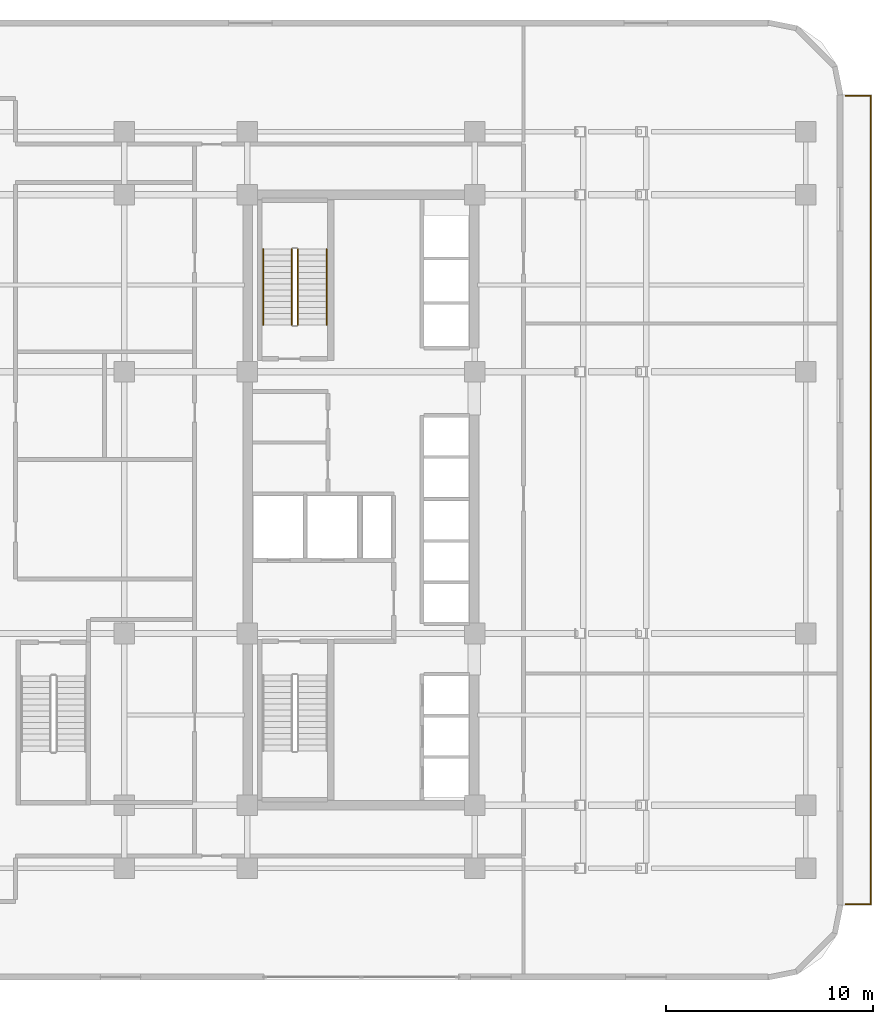
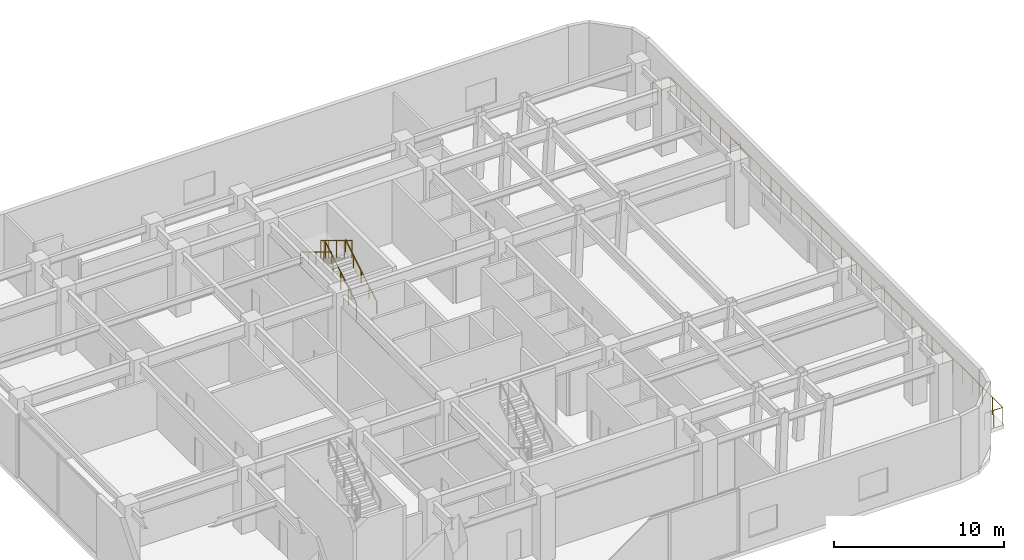
# One storey, part 11 of 12: 5 railings.
"""IFC4 building model written with IfcOpenShell, lengths in metres."""

from ifc_helpers import new_model, si_unit, direction, frame, origin, origin_2d, place, context, subcontext, project, spatial, circle, extrude, material, type_object, element, save


model = new_model("IFC4")

# Units and contexts
model_context = context("Model", 3, precision=1e-05, world=origin(), true_north=direction((0.0, 1.0)))
body_context = subcontext(model_context, "Body", "Model", "MODEL_VIEW")
ifc_project = project(units=[si_unit("LENGTHUNIT", "METRE"), si_unit("AREAUNIT", "SQUARE_METRE"), si_unit("VOLUMEUNIT", "CUBIC_METRE"), si_unit("PLANEANGLEUNIT", "RADIAN"), si_unit("MASSUNIT", "GRAM", prefix="KILO")], contexts=[model_context])

# Site, building, storey
site_placement = place(None, origin())
site = spatial("IfcSite", under=ifc_project, at=site_placement, CompositionType="ELEMENT")
building_placement = place(site_placement, origin())
building = spatial("IfcBuilding", under=site, at=building_placement, Name="Ochreholt Gables", CompositionType="ELEMENT")
storey_placement = place(building_placement, frame((0.0, 0.0, 9.60009765625)))
storey = spatial("IfcBuildingStorey", under=building, at=storey_placement, Name="L02", CompositionType="ELEMENT", Elevation=9.60009765625)

# Railings
ifc_material_1 = material(Name="Painted Steel Stair Guardrail", Category="steel")
railing_type_1 = type_object("IfcRailingType", Name="RL-ST-GUARD", PredefinedType="GUARDRAIL", material=ifc_material_1)
railing_1_placement = place(storey_placement, frame((26.64990234375, 32.4599609375, 0.17138671875)))
element("IfcRailing", 1, at=railing_1_placement, inside=storey, type_object=railing_type_1, Name="L02 ST-2 stair guard 1", PredefinedType="GUARDRAIL", context=body_context, shape_type="SweptSolid", body=[
    extrude(circle(Radius=0.02392578125, at=origin_2d()), frame((0.0, 0.0, 1.22607421875), z_axis=(0.0, 0.85450609292, 0.519441370283), x_axis=(-1.0, 0.0, 0.0)), (0.0, 0.0, 1.0), 4.290283203125),
    extrude(circle(Radius=0.02099609375, at=origin_2d()), origin(), (0.0, 0.0, 1.0), 1.201904296875),
    extrude(circle(Radius=0.02099609375, at=origin_2d()), frame((0.0, 0.91650390625, 0.55712890625)), (0.0, 0.0, 1.0), 1.201904296875),
    extrude(circle(Radius=0.02099609375, at=origin_2d()), frame((0.0, 1.8330078125, 1.1142578125)), (0.0, 0.0, 1.0), 1.201904296875),
    extrude(circle(Radius=0.02099609375, at=origin_2d()), frame((0.0, 2.74951171875, 1.67138671875)), (0.0, 0.0, 1.0), 1.201904296875),
    extrude(circle(Radius=0.02099609375, at=origin_2d()), frame((0.0, 3.666015625, 2.228515625)), (0.0, 0.0, 1.0), 1.201904296875),
])
railing_2_placement = place(storey_placement, frame((26.35009765625, 36.1259765625, 2.5712890625)))
element("IfcRailing", 2, at=railing_2_placement, inside=storey, type_object=railing_type_1, Name="L02 ST-2 stair guard 3", PredefinedType="GUARDRAIL", context=body_context, shape_type="SweptSolid", body=[
    extrude(circle(Radius=0.02392578125, at=origin_2d()), frame((0.0, 0.0, 1.22607421875), z_axis=(0.0, -0.85450609292, 0.519441370283), x_axis=(1.0, 0.0, 0.0)), (0.0, 0.0, 1.0), 4.290283203125),
    extrude(circle(Radius=0.02099609375, at=origin_2d()), origin(), (0.0, 0.0, 1.0), 1.201904296875),
    extrude(circle(Radius=0.02099609375, at=origin_2d()), frame((0.0, -0.91650390625, 0.55712890625)), (0.0, 0.0, 1.0), 1.201904296875),
    extrude(circle(Radius=0.02099609375, at=origin_2d()), frame((0.0, -1.8330078125, 1.1142578125)), (0.0, 0.0, 1.0), 1.201904296875),
    extrude(circle(Radius=0.02099609375, at=origin_2d()), frame((0.0, -2.74951171875, 1.67138671875)), (0.0, 0.0, 1.0), 1.201904296875),
    extrude(circle(Radius=0.02099609375, at=origin_2d()), frame((0.0, -3.666015625, 2.228515625)), (0.0, 0.0, 1.0), 1.201904296875),
])
ifc_material_2 = material(Name="Brushed Stainless Steel Wall Handrail", Category="steel")
railing_type_2 = type_object("IfcRailingType", Name="RL-ST-HAND", PredefinedType="HANDRAIL", material=ifc_material_2)
railing_3_placement = place(storey_placement, frame((28.030029296875, 32.4599609375, 0.17138671875)))
element("IfcRailing", 3, at=railing_3_placement, inside=storey, type_object=railing_type_2, Name="L02 ST-2 stair handrail 1", PredefinedType="HANDRAIL", context=body_context, shape_type="SweptSolid", body=[
    extrude(circle(Radius=0.02392578125, at=origin_2d()), frame((0.0, 0.0, 0.8759765625), z_axis=(0.0, 0.85450609292, 0.519441370283), x_axis=(-1.0, 0.0, 0.0)), (0.0, 0.0, 1.0), 4.290283203125),
    extrude(circle(Radius=0.02099609375, at=origin_2d()), origin(), (0.0, 0.0, 1.0), 0.851806640625),
    extrude(circle(Radius=0.02099609375, at=origin_2d()), frame((0.0, 0.91650390625, 0.55712890625)), (0.0, 0.0, 1.0), 0.851806640625),
    extrude(circle(Radius=0.02099609375, at=origin_2d()), frame((0.0, 1.8330078125, 1.1142578125)), (0.0, 0.0, 1.0), 0.851806640625),
    extrude(circle(Radius=0.02099609375, at=origin_2d()), frame((0.0, 2.74951171875, 1.67138671875)), (0.0, 0.0, 1.0), 0.851806640625),
    extrude(circle(Radius=0.02099609375, at=origin_2d()), frame((0.0, 3.666015625, 2.228515625)), (0.0, 0.0, 1.0), 0.851806640625),
])
railing_4_placement = place(storey_placement, frame((24.969970703125, 36.1259765625, 2.5712890625)))
element("IfcRailing", 4, at=railing_4_placement, inside=storey, type_object=railing_type_2, Name="L02 ST-2 stair handrail 2", PredefinedType="HANDRAIL", context=body_context, shape_type="SweptSolid", body=[
    extrude(circle(Radius=0.02392578125, at=origin_2d()), frame((0.0, 0.0, 0.8759765625), z_axis=(0.0, -0.85450609292, 0.519441370283), x_axis=(1.0, 0.0, 0.0)), (0.0, 0.0, 1.0), 4.290283203125),
    extrude(circle(Radius=0.02099609375, at=origin_2d()), origin(), (0.0, 0.0, 1.0), 0.851806640625),
    extrude(circle(Radius=0.02099609375, at=origin_2d()), frame((0.0, -0.91650390625, 0.55712890625)), (0.0, 0.0, 1.0), 0.851806640625),
    extrude(circle(Radius=0.02099609375, at=origin_2d()), frame((0.0, -1.8330078125, 1.1142578125)), (0.0, 0.0, 1.0), 0.851806640625),
    extrude(circle(Radius=0.02099609375, at=origin_2d()), frame((0.0, -2.74951171875, 1.67138671875)), (0.0, 0.0, 1.0), 0.851806640625),
    extrude(circle(Radius=0.02099609375, at=origin_2d()), frame((0.0, -3.666015625, 2.228515625)), (0.0, 0.0, 1.0), 0.851806640625),
])
ifc_material_3 = material(Name="Laminated Glass and Anodized Aluminium Guardrail", Category="aluminium")
railing_type_3 = type_object("IfcRailingType", Name="RL-TER-1250", PredefinedType="GUARDRAIL", material=ifc_material_3)
railing_5_placement = place(storey_placement, frame((53.1201171875, 4.4599609375, 0.0)))
element("IfcRailing", 5, at=railing_5_placement, inside=storey, type_object=railing_type_3, Name="L02 Terrace Perimeter Guardrail TR-L02-E", PredefinedType="GUARDRAIL", context=body_context, shape_type="SweptSolid", body=[
    extrude(circle(Radius=0.02392578125, at=origin_2d()), frame((0.0, 0.0, 1.22607421875), z_axis=(1.0, 0.0, 0.0), x_axis=(0.0, 1.0, 0.0)), (0.0, 0.0, 1.0), 1.219970703125),
    extrude(circle(Radius=0.02392578125, at=origin_2d()), frame((1.219970703125, 0.0, 1.22607421875), z_axis=(0.0, 1.0, 0.0), x_axis=(-1.0, 0.0, 0.0)), (0.0, 0.0, 1.0), 39.080078125),
    extrude(circle(Radius=0.02392578125, at=origin_2d()), frame((1.219970703125, 39.080078125, 1.22607421875), z_axis=(-1.0, 0.0, 0.0), x_axis=(0.0, -1.0, 0.0)), (0.0, 0.0, 1.0), 1.219970703125),
    extrude(circle(Radius=0.02099609375, at=origin_2d()), origin(), (0.0, 0.0, 1.0), 1.201904296875),
    extrude(circle(Radius=0.02099609375, at=origin_2d()), frame((0.60986328125, 0.0, 0.0)), (0.0, 0.0, 1.0), 1.201904296875),
    extrude(circle(Radius=0.02099609375, at=origin_2d()), frame((1.219970703125, 0.0, 0.0)), (0.0, 0.0, 1.0), 1.201904296875),
    extrude(circle(Radius=0.02099609375, at=origin_2d()), frame((1.219970703125, 1.184326171875, 0.0)), (0.0, 0.0, 1.0), 1.201904296875),
    extrude(circle(Radius=0.02099609375, at=origin_2d()), frame((1.219970703125, 2.368408203125, 0.0)), (0.0, 0.0, 1.0), 1.201904296875),
    extrude(circle(Radius=0.02099609375, at=origin_2d()), frame((1.219970703125, 3.552734375, 0.0)), (0.0, 0.0, 1.0), 1.201904296875),
    extrude(circle(Radius=0.02099609375, at=origin_2d()), frame((1.219970703125, 4.737060546875, 0.0)), (0.0, 0.0, 1.0), 1.201904296875),
    extrude(circle(Radius=0.02099609375, at=origin_2d()), frame((1.219970703125, 5.921142578125, 0.0)), (0.0, 0.0, 1.0), 1.201904296875),
    extrude(circle(Radius=0.02099609375, at=origin_2d()), frame((1.219970703125, 7.10546875, 0.0)), (0.0, 0.0, 1.0), 1.201904296875),
    extrude(circle(Radius=0.02099609375, at=origin_2d()), frame((1.219970703125, 8.289794921875, 0.0)), (0.0, 0.0, 1.0), 1.201904296875),
    extrude(circle(Radius=0.02099609375, at=origin_2d()), frame((1.219970703125, 9.473876953125, 0.0)), (0.0, 0.0, 1.0), 1.201904296875),
    extrude(circle(Radius=0.02099609375, at=origin_2d()), frame((1.219970703125, 10.658203125, 0.0)), (0.0, 0.0, 1.0), 1.201904296875),
    extrude(circle(Radius=0.02099609375, at=origin_2d()), frame((1.219970703125, 11.842529296875, 0.0)), (0.0, 0.0, 1.0), 1.201904296875),
    extrude(circle(Radius=0.02099609375, at=origin_2d()), frame((1.219970703125, 13.026611328125, 0.0)), (0.0, 0.0, 1.0), 1.201904296875),
    extrude(circle(Radius=0.02099609375, at=origin_2d()), frame((1.219970703125, 14.2109375, 0.0)), (0.0, 0.0, 1.0), 1.201904296875),
    extrude(circle(Radius=0.02099609375, at=origin_2d()), frame((1.219970703125, 15.395263671875, 0.0)), (0.0, 0.0, 1.0), 1.201904296875),
    extrude(circle(Radius=0.02099609375, at=origin_2d()), frame((1.219970703125, 16.579345703125, 0.0)), (0.0, 0.0, 1.0), 1.201904296875),
    extrude(circle(Radius=0.02099609375, at=origin_2d()), frame((1.219970703125, 17.763671875, 0.0)), (0.0, 0.0, 1.0), 1.201904296875),
    extrude(circle(Radius=0.02099609375, at=origin_2d()), frame((1.219970703125, 18.947998046875, 0.0)), (0.0, 0.0, 1.0), 1.201904296875),
    extrude(circle(Radius=0.02099609375, at=origin_2d()), frame((1.219970703125, 20.132080078125, 0.0)), (0.0, 0.0, 1.0), 1.201904296875),
    extrude(circle(Radius=0.02099609375, at=origin_2d()), frame((1.219970703125, 21.31640625, 0.0)), (0.0, 0.0, 1.0), 1.201904296875),
    extrude(circle(Radius=0.02099609375, at=origin_2d()), frame((1.219970703125, 22.500732421875, 0.0)), (0.0, 0.0, 1.0), 1.201904296875),
    extrude(circle(Radius=0.02099609375, at=origin_2d()), frame((1.219970703125, 23.684814453125, 0.0)), (0.0, 0.0, 1.0), 1.201904296875),
    extrude(circle(Radius=0.02099609375, at=origin_2d()), frame((1.219970703125, 24.869140625, 0.0)), (0.0, 0.0, 1.0), 1.201904296875),
    extrude(circle(Radius=0.02099609375, at=origin_2d()), frame((1.219970703125, 26.053466796875, 0.0)), (0.0, 0.0, 1.0), 1.201904296875),
    extrude(circle(Radius=0.02099609375, at=origin_2d()), frame((1.219970703125, 27.237548828125, 0.0)), (0.0, 0.0, 1.0), 1.201904296875),
    extrude(circle(Radius=0.02099609375, at=origin_2d()), frame((1.219970703125, 28.421875, 0.0)), (0.0, 0.0, 1.0), 1.201904296875),
    extrude(circle(Radius=0.02099609375, at=origin_2d()), frame((1.219970703125, 29.606201171875, 0.0)), (0.0, 0.0, 1.0), 1.201904296875),
    extrude(circle(Radius=0.02099609375, at=origin_2d()), frame((1.219970703125, 30.790283203125, 0.0)), (0.0, 0.0, 1.0), 1.201904296875),
    extrude(circle(Radius=0.02099609375, at=origin_2d()), frame((1.219970703125, 31.974609375, 0.0)), (0.0, 0.0, 1.0), 1.201904296875),
    extrude(circle(Radius=0.02099609375, at=origin_2d()), frame((1.219970703125, 33.158935546875, 0.0)), (0.0, 0.0, 1.0), 1.201904296875),
    extrude(circle(Radius=0.02099609375, at=origin_2d()), frame((1.219970703125, 34.343017578125, 0.0)), (0.0, 0.0, 1.0), 1.201904296875),
    extrude(circle(Radius=0.02099609375, at=origin_2d()), frame((1.219970703125, 35.52734375, 0.0)), (0.0, 0.0, 1.0), 1.201904296875),
    extrude(circle(Radius=0.02099609375, at=origin_2d()), frame((1.219970703125, 36.711669921875, 0.0)), (0.0, 0.0, 1.0), 1.201904296875),
    extrude(circle(Radius=0.02099609375, at=origin_2d()), frame((1.219970703125, 37.895751953125, 0.0)), (0.0, 0.0, 1.0), 1.201904296875),
    extrude(circle(Radius=0.02099609375, at=origin_2d()), frame((1.219970703125, 39.080078125, 0.0)), (0.0, 0.0, 1.0), 1.201904296875),
    extrude(circle(Radius=0.02099609375, at=origin_2d()), frame((0.60986328125, 39.080078125, 0.0)), (0.0, 0.0, 1.0), 1.201904296875),
    extrude(circle(Radius=0.02099609375, at=origin_2d()), frame((0.0, 39.080078125, 0.0)), (0.0, 0.0, 1.0), 1.201904296875),
])

save(model, "model.ifc")
